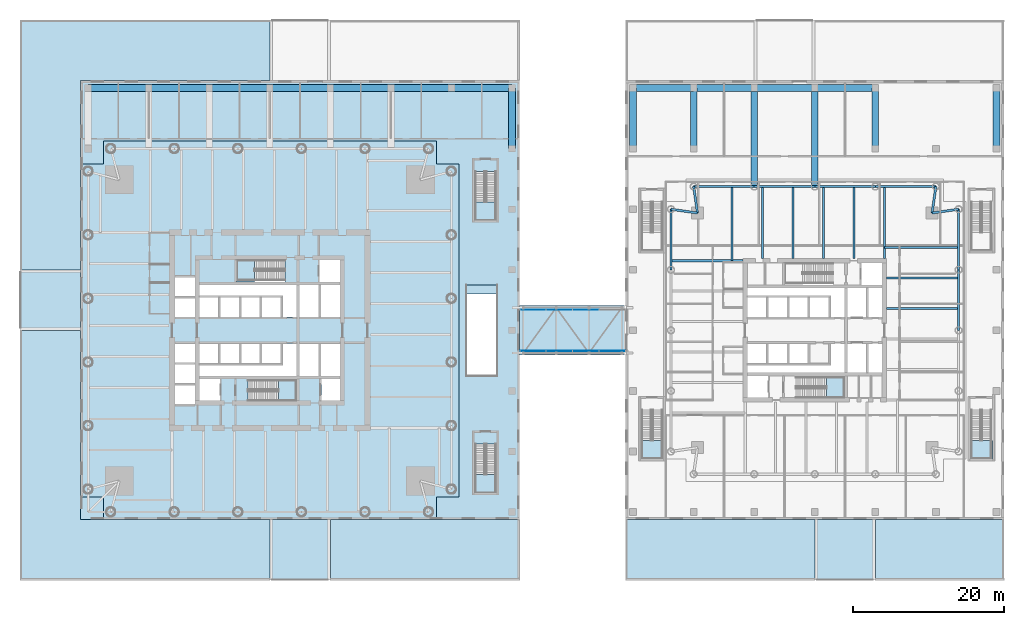
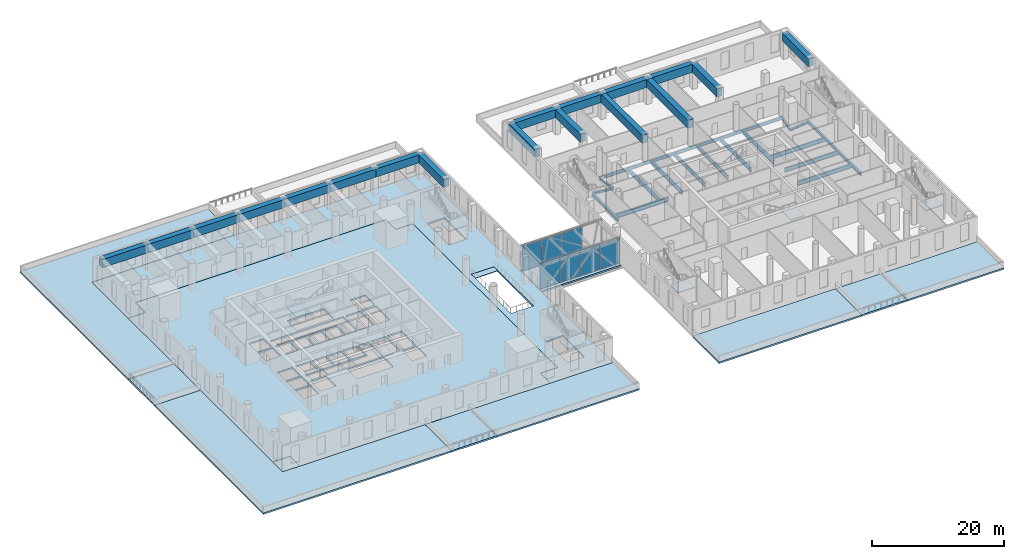
# One storey, part 7 of 23: 39 beams, 19 slabs, 8 plates, 9 elements without a shape of their own.
"""IFC4 building model written with IfcOpenShell, lengths in metres."""

from ifc_helpers import new_model, si_unit, direction, frame, origin, origin_2d, place, context, subcontext, project, spatial, polyline, rectangle, i_section, outline, extrude, material, layer, layer_set, material_profile, profile_set, type_object, element, aggregate, save


model = new_model("IFC4")

# Units and contexts
model_context = context("Model", 3, precision=1e-05, world=origin(), true_north=direction((0.0, 1.0)))
body_context = subcontext(model_context, "Body", "Model", "MODEL_VIEW")
ifc_project = project(units=[si_unit("LENGTHUNIT", "METRE"), si_unit("AREAUNIT", "SQUARE_METRE"), si_unit("VOLUMEUNIT", "CUBIC_METRE"), si_unit("PLANEANGLEUNIT", "RADIAN"), si_unit("MASSUNIT", "GRAM", prefix="KILO")], contexts=[model_context])

# Site, building, storey
site_placement = place(None, origin())
site = spatial("IfcSite", under=ifc_project, at=site_placement, CompositionType="ELEMENT")
building_placement = place(site_placement, origin())
building = spatial("IfcBuilding", under=site, at=building_placement, Name="Ostroluk Exchange", CompositionType="ELEMENT")
storey_placement = place(building_placement, frame((0.0, 0.0, 11.0)))
storey = spatial("IfcBuildingStorey", under=building, at=storey_placement, Name="L02", CompositionType="ELEMENT", Elevation=11.0)

# Beams
ifc_material_1 = material(Name="Steel S355", Category="steel")
ifc_material_profile_1 = material_profile(ifc_material_1, i_section(OverallWidth=0.300048828125, OverallDepth=0.39990234375, WebThickness=0.013427734375, FlangeThickness=0.02392578125, FilletRadius=0.027099609375, at=origin_2d()), Name="HEB 400")
ifc_profile_set_1 = profile_set([ifc_material_profile_1], Name="Steel S355")
beam_type_1 = type_object("IfcBeamType", Name="Corner edge beam HEB 400", PredefinedType="SPANDREL", material=ifc_profile_set_1)
for number, where, z_axis, x_axis, name in (
    (1, (132.5, 61.5, -0.5), (0.989949493661, 0.141421356237, 0.0), (-0.141421356237, 0.989949493661, 0.0), "T2 east corner edge beam a"),
    (2, (132.5, 61.5, -0.5), (0.141421356237, 0.989949493661, 0.0), (-0.989949493661, 0.141421356237, 0.0), "T2 east corner edge beam b"),
    (3, (101.5, 61.5, -0.5), (-0.141421356237, 0.989949493661, 0.0), (-0.989949493661, -0.141421356237, 0.0), "T2 north corner edge beam a"),
    (4, (101.5, 61.5, -0.5), (-0.989949493661, 0.141421356237, 0.0), (-0.141421356237, -0.989949493661, 0.0), "T2 north corner edge beam b"),
):
    element("IfcBeam", number, at=place(storey_placement, frame(where, z_axis=z_axis, x_axis=x_axis)), inside=storey, type_object=beam_type_1, Name=name, PredefinedType="SPANDREL", context=body_context, shape_type="SweptSolid", body=[
        extrude(i_section(OverallWidth=0.300048828125, OverallDepth=0.39990234375, WebThickness=0.013427734375, FlangeThickness=0.02392578125, FilletRadius=0.027099609375, at=origin_2d()), origin(), (0.0, 0.0, 1.0), 3.53564453125),
    ])
ifc_material_2 = material(Name="Steel S355", Category="steel")
ifc_material_profile_2 = material_profile(ifc_material_2, i_section(OverallWidth=0.264892578125, OverallDepth=0.7529296875, WebThickness=0.01318359375, FlangeThickness=0.01708984375, FilletRadius=0.01708984375, at=origin_2d()), Name="IPE 750x147")
ifc_profile_set_2 = profile_set([ifc_material_profile_2], Name="Steel S355")
beam_type_2 = type_object("IfcBeamType", Name="Floor beam IPE 750x147", PredefinedType="BEAM", material=ifc_profile_set_2)
for number, where, z_axis, x_axis, name in (
    (5, (126.5, 48.8857421875, -0.676513671875), (1.0, 0.0, 0.0), (0.0, 1.0, 0.0), "T2 east floor beam 3"),
    (6, (126.5, 52.914306640625, -0.676513671875), (1.0, 0.0, 0.0), (0.0, 1.0, 0.0), "T2 east floor beam 4"),
):
    element("IfcBeam", number, at=place(storey_placement, frame(where, z_axis=z_axis, x_axis=x_axis)), inside=storey, type_object=beam_type_2, Name=name, PredefinedType="BEAM", context=body_context, shape_type="SweptSolid", body=[
        extrude(i_section(OverallWidth=0.264892578125, OverallDepth=0.7529296875, WebThickness=0.01318359375, FlangeThickness=0.01708984375, FilletRadius=0.01708984375, at=origin_2d()), origin(), (0.0, 0.0, 1.0), 9.5),
    ])
beam_1_placement = place(storey_placement, frame((126.199951171875, 56.94287109375, -0.676513671875), z_axis=(1.0, 0.0, 0.0), x_axis=(0.0, 1.0, 0.0)))
element("IfcBeam", 7, at=beam_1_placement, inside=storey, type_object=beam_type_2, Name="T2 east floor beam 5", PredefinedType="BEAM", context=body_context, shape_type="SweptSolid", body=[
    extrude(i_section(OverallWidth=0.264892578125, OverallDepth=0.7529296875, WebThickness=0.01318359375, FlangeThickness=0.01708984375, FilletRadius=0.01708984375, at=origin_2d()), origin(), (0.0, 0.0, 1.0), 9.800048828125),
])
for number, where, z_axis, x_axis, name in (
    (8, (122.17138671875, 55.5, -0.676513671875), (0.0, 1.0, 0.0), (-1.0, 0.0, 0.0), "T2 north floor beam 1"),
    (9, (118.142822265625, 55.5, -0.676513671875), (0.0, 1.0, 0.0), (-1.0, 0.0, 0.0), "T2 north floor beam 2"),
    (10, (114.1142578125, 55.5, -0.676513671875), (0.0, 1.0, 0.0), (-1.0, 0.0, 0.0), "T2 north floor beam 3"),
    (11, (110.085693359375, 55.5, -0.676513671875), (0.0, 1.0, 0.0), (-1.0, 0.0, 0.0), "T2 north floor beam 4"),
):
    element("IfcBeam", number, at=place(storey_placement, frame(where, z_axis=z_axis, x_axis=x_axis)), inside=storey, type_object=beam_type_2, Name=name, PredefinedType="BEAM", context=body_context, shape_type="SweptSolid", body=[
        extrude(i_section(OverallWidth=0.264892578125, OverallDepth=0.7529296875, WebThickness=0.01318359375, FlangeThickness=0.01708984375, FilletRadius=0.01708984375, at=origin_2d()), origin(), (0.0, 0.0, 1.0), 9.5),
    ])
beam_2_placement = place(storey_placement, frame((106.05712890625, 55.199951171875, -0.676513671875), z_axis=(0.0, 1.0, 0.0), x_axis=(-1.0, 0.0, 0.0)))
element("IfcBeam", 12, at=beam_2_placement, inside=storey, type_object=beam_type_2, Name="T2 north floor beam 5", PredefinedType="BEAM", context=body_context, shape_type="SweptSolid", body=[
    extrude(i_section(OverallWidth=0.264892578125, OverallDepth=0.7529296875, WebThickness=0.01318359375, FlangeThickness=0.01708984375, FilletRadius=0.01708984375, at=origin_2d()), origin(), (0.0, 0.0, 1.0), 9.800048828125),
])
ifc_material_3 = material(Name="Steel S355", Category="steel")
ifc_material_profile_3 = material_profile(ifc_material_3, i_section(OverallWidth=0.300048828125, OverallDepth=0.800048828125, WebThickness=0.017578125, FlangeThickness=0.032958984375, FilletRadius=0.030029296875, at=origin_2d()), Name="HEB 800")
ifc_profile_set_3 = profile_set([ifc_material_profile_3], Name="Steel S355")
beam_type_3 = type_object("IfcBeamType", Name="Girder HEB 800", PredefinedType="BEAM", material=ifc_profile_set_3)
for number, where, z_axis, x_axis, name in (
    (13, (126.199951171875, 55.5, -0.699951171875), (0.0, 1.0, 0.0), (-1.0, 0.0, 0.0), "T2 east girder"),
    (14, (107.5, 55.199951171875, -0.699951171875), (-1.0, 0.0, 0.0), (0.0, -1.0, 0.0), "T2 north girder"),
):
    element("IfcBeam", number, at=place(storey_placement, frame(where, z_axis=z_axis, x_axis=x_axis)), inside=storey, type_object=beam_type_3, Name=name, PredefinedType="BEAM", context=body_context, shape_type="SweptSolid", body=[
        extrude(i_section(OverallWidth=0.300048828125, OverallDepth=0.800048828125, WebThickness=0.017578125, FlangeThickness=0.032958984375, FilletRadius=0.030029296875, at=origin_2d()), origin(), (0.0, 0.0, 1.0), 9.5),
    ])
ifc_material_4 = material(Name="Steel S355", Category="steel")
ifc_material_profile_4 = material_profile(ifc_material_4, i_section(OverallWidth=0.300048828125, OverallDepth=0.550048828125, WebThickness=0.014892578125, FlangeThickness=0.029052734375, FilletRadius=0.027099609375, at=origin_2d()), Name="HEB 550")
ifc_profile_set_4 = profile_set([ifc_material_profile_4], Name="Steel S355")
beam_type_4 = type_object("IfcBeamType", Name="Moment-connected edge beam HEB 550", PredefinedType="SPANDREL", material=ifc_profile_set_4)
for number, where, z_axis, x_axis, name in (
    (15, (136.0, 46.0, -0.574951171875), (0.0, 1.0, 0.0), (-1.0, 0.0, 0.0), "T2 east edge beam 3"),
    (16, (136.0, 54.0, -0.574951171875), (0.0, 1.0, 0.0), (-1.0, 0.0, 0.0), "T2 east edge beam 4"),
    (17, (133.0, 65.0, -0.574951171875), (-1.0, 0.0, 0.0), (0.0, -1.0, 0.0), "T2 north edge beam 1"),
    (18, (125.0, 65.0, -0.574951171875), (-1.0, 0.0, 0.0), (0.0, -1.0, 0.0), "T2 north edge beam 2"),
    (19, (117.0, 65.0, -0.574951171875), (-1.0, 0.0, 0.0), (0.0, -1.0, 0.0), "T2 north edge beam 3"),
    (20, (109.0, 65.0, -0.574951171875), (-1.0, 0.0, 0.0), (0.0, -1.0, 0.0), "T2 north edge beam 4"),
    (21, (98.0, 62.0, -0.574951171875), (0.0, -1.0, 0.0), (1.0, 0.0, 0.0), "T2 west edge beam 1"),
):
    element("IfcBeam", number, at=place(storey_placement, frame(where, z_axis=z_axis, x_axis=x_axis)), inside=storey, type_object=beam_type_4, Name=name, PredefinedType="SPANDREL", context=body_context, shape_type="SweptSolid", body=[
        extrude(i_section(OverallWidth=0.300048828125, OverallDepth=0.550048828125, WebThickness=0.014892578125, FlangeThickness=0.029052734375, FilletRadius=0.027099609375, at=origin_2d()), origin(), (0.0, 0.0, 1.0), 8.0),
    ])
ifc_material_5 = material(Name="Concrete C50/60", Category="concrete")
ifc_material_profile_5 = material_profile(ifc_material_5, rectangle(XDim=0.89990234375, YDim=1.5, at=origin_2d()), Name="RC 900x1500")
ifc_profile_set_5 = profile_set([ifc_material_profile_5], Name="Concrete C50/60")
beam_type_5 = type_object("IfcBeamType", Name="Podium edge beam RC 900x1500", PredefinedType="BEAM", material=ifc_profile_set_5)
for number, where, z_axis, x_axis, name in (
    (22, (77.0, 78.0, 3.949951171875), (0.0, -1.0, 0.0), (1.0, 0.0, 0.0), "Terrace beam L03 west N 77"),
    (23, (93.0, 78.0, 3.949951171875), (0.0, -1.0, 0.0), (1.0, 0.0, 0.0), "Terrace beam L03 east N 93"),
    (24, (101.0, 78.0, 3.949951171875), (0.0, -1.0, 0.0), (1.0, 0.0, 0.0), "Terrace beam L03 east N 101"),
):
    element("IfcBeam", number, at=place(storey_placement, frame(where, z_axis=z_axis, x_axis=x_axis)), inside=storey, type_object=beam_type_5, Name=name, PredefinedType="BEAM", context=body_context, shape_type="SweptSolid", body=[
        extrude(rectangle(XDim=0.89990234375, YDim=1.5, at=origin_2d()), origin(), (0.0, 0.0, 1.0), 8.0),
    ])
for number, where, z_axis, x_axis, name in (
    (25, (109.0, 78.0, 3.949951171875), (0.0, -1.0, 0.0), (1.0, 0.0, 0.0), "Terrace beam L03 east N 109"),
    (26, (117.0, 78.0, 3.949951171875), (0.0, -1.0, 0.0), (1.0, 0.0, 0.0), "Terrace beam L03 east N 117"),
):
    element("IfcBeam", number, at=place(storey_placement, frame(where, z_axis=z_axis, x_axis=x_axis)), inside=storey, type_object=beam_type_5, Name=name, PredefinedType="BEAM", context=body_context, shape_type="SweptSolid", body=[
        extrude(rectangle(XDim=0.89990234375, YDim=1.5, at=origin_2d()), origin(), (0.0, 0.0, 1.0), 13.0),
    ])
for number, where, z_axis, x_axis, name in (
    (27, (125.0, 78.0, 3.949951171875), (0.0, -1.0, 0.0), (1.0, 0.0, 0.0), "Terrace beam L03 east N 125"),
    (28, (141.0, 78.0, 3.949951171875), (0.0, -1.0, 0.0), (1.0, 0.0, 0.0), "Terrace beam L03 east N 141"),
    (29, (21.0, 78.0, 3.949951171875), (1.0, 0.0, 0.0), (0.0, 1.0, 0.0), "Terrace bay beam L03 Y78-21"),
    (30, (29.0, 78.0, 3.949951171875), (1.0, 0.0, 0.0), (0.0, 1.0, 0.0), "Terrace bay beam L03 Y78-29"),
    (31, (37.0, 78.0, 3.949951171875), (1.0, 0.0, 0.0), (0.0, 1.0, 0.0), "Terrace bay beam L03 Y78-37"),
    (32, (45.0, 78.0, 3.949951171875), (1.0, 0.0, 0.0), (0.0, 1.0, 0.0), "Terrace bay beam L03 Y78-45"),
    (33, (53.0, 78.0, 3.949951171875), (1.0, 0.0, 0.0), (0.0, 1.0, 0.0), "Terrace bay beam L03 Y78-53"),
    (34, (61.0, 78.0, 3.949951171875), (1.0, 0.0, 0.0), (0.0, 1.0, 0.0), "Terrace bay beam L03 Y78-61"),
    (35, (69.0, 78.0, 3.949951171875), (1.0, 0.0, 0.0), (0.0, 1.0, 0.0), "Terrace bay beam L03 Y78-69"),
    (36, (93.0, 78.0, 3.949951171875), (1.0, 0.0, 0.0), (0.0, 1.0, 0.0), "Terrace bay beam L03 Y78-93"),
    (37, (101.0, 78.0, 3.949951171875), (1.0, 0.0, 0.0), (0.0, 1.0, 0.0), "Terrace bay beam L03 Y78-101"),
    (38, (109.0, 78.0, 3.949951171875), (1.0, 0.0, 0.0), (0.0, 1.0, 0.0), "Terrace bay beam L03 Y78-109"),
    (39, (117.0, 78.0, 3.949951171875), (1.0, 0.0, 0.0), (0.0, 1.0, 0.0), "Terrace bay beam L03 Y78-117"),
):
    element("IfcBeam", number, at=place(storey_placement, frame(where, z_axis=z_axis, x_axis=x_axis)), inside=storey, type_object=beam_type_5, Name=name, PredefinedType="BEAM", context=body_context, shape_type="SweptSolid", body=[
        extrude(rectangle(XDim=0.89990234375, YDim=1.5, at=origin_2d()), origin(), (0.0, 0.0, 1.0), 8.0),
    ])

# Slab
ifc_material_6 = material(Name="Concrete C35/45", Category="concrete")
ifc_layer_1 = layer(ifc_material_6, 0.300048828125)
ifc_layer_set_1 = layer_set([ifc_layer_1], Name="Bridge deck slab 300")
slab_type_1 = type_object("IfcSlabType", Name="Bridge deck slab 300", PredefinedType="FLOOR", material=ifc_layer_set_1)
slab_1_placement = place(storey_placement, frame((0.0, 0.0, -0.300048828125)))
element("IfcSlab", 40, at=slab_1_placement, inside=storey, type_object=slab_type_1, Name="Podium bridge deck", PredefinedType="FLOOR", context=body_context, shape_type="SweptSolid", body=[
    extrude(outline(polyline([(78.0, 42.75), (91.89990234375, 42.75), (91.89990234375, 49.25), (78.0, 49.25), (78.0, 42.75)])), origin(), (0.0, 0.0, 1.0), 0.300048828125),
])

# Plate
ifc_material_7 = material(Name="Steel chequer plate", Category="steel")
ifc_layer_2 = layer(ifc_material_7, 0.10009765625)
ifc_layer_set_2 = layer_set([ifc_layer_2], Name="Escalator landing plate")
plate_type_1 = type_object("IfcPlateType", Name="Escalator landing plate", PredefinedType="USERDEFINED", material=ifc_layer_set_2)
plate_1_placement = place(storey_placement, frame((73.0, 51.39990234375, -0.10009765625), z_axis=(0.0, 0.0, 1.0), x_axis=(1.0, 0.0, 0.0)))
element("IfcPlate", 41, at=plate_1_placement, inside=storey, type_object=plate_type_1, Name="Escalator ES3 landing plate", ObjectType="ESCALATOR LANDING PLATE", PredefinedType="USERDEFINED", context=body_context, shape_type="SweptSolid", body=[
    extrude(rectangle(XDim=4.0, YDim=1.199951171875, at=origin_2d()), origin(), (0.0, 0.0, 1.0), 0.10009765625),
])

# Slabs
ifc_material_8 = material(Name="Concrete C35/45", Category="concrete")
ifc_layer_3 = layer(ifc_material_8, 0.300048828125)
ifc_layer_set_3 = layer_set([ifc_layer_3], Name="Extensive green roof slab 300")
slab_type_2 = type_object("IfcSlabType", Name="Extensive green roof slab 300", PredefinedType="ROOF", material=ifc_layer_set_3)
slab_2_placement = place(storey_placement, frame((0.0, 0.0, -0.300048828125)))
element("IfcSlab", 42, at=slab_2_placement, inside=storey, type_object=slab_type_2, Name="Green roof slab L02 west", PredefinedType="ROOF", context=body_context, shape_type="SweptSolid", body=[
    extrude(outline(polyline([(45.0, 87.0), (45.0, 79.0), (20.0, 79.0), (20.0, 54.0), (12.0, 54.0), (12.0, 87.0), (45.0, 87.0)])), origin(), (0.0, 0.0, 1.0), 0.300048828125),
])
slab_3_placement = place(storey_placement, frame((0.0, 0.0, -0.300048828125)))
element("IfcSlab", 43, at=slab_3_placement, inside=storey, type_object=slab_type_2, Name="Green roof slab L02 west", PredefinedType="ROOF", context=body_context, shape_type="SweptSolid", body=[
    extrude(outline(polyline([(20.0, 46.0), (20.0, 21.0), (45.0, 21.0), (45.0, 13.0), (12.0, 13.0), (12.0, 46.0), (20.0, 46.0)])), origin(), (0.0, 0.0, 1.0), 0.300048828125),
])
slab_4_placement = place(storey_placement, frame((0.0, 0.0, -0.300048828125)))
element("IfcSlab", 44, at=slab_4_placement, inside=storey, type_object=slab_type_2, Name="Green roof slab L02 west", PredefinedType="ROOF", context=body_context, shape_type="SweptSolid", body=[
    extrude(outline(polyline([(53.0, 21.0), (78.0, 21.0), (78.0, 13.0), (53.0, 13.0), (53.0, 21.0)])), origin(), (0.0, 0.0, 1.0), 0.300048828125),
])
slab_5_placement = place(storey_placement, frame((0.0, 0.0, -0.300048828125)))
element("IfcSlab", 45, at=slab_5_placement, inside=storey, type_object=slab_type_2, Name="Green roof slab L02 east", PredefinedType="ROOF", context=body_context, shape_type="SweptSolid", body=[
    extrude(outline(polyline([(117.0, 21.0), (117.0, 13.0), (92.0, 13.0), (92.0, 21.0), (117.0, 21.0)])), origin(), (0.0, 0.0, 1.0), 0.300048828125),
])
slab_6_placement = place(storey_placement, frame((0.0, 0.0, -0.300048828125)))
element("IfcSlab", 46, at=slab_6_placement, inside=storey, type_object=slab_type_2, Name="Green roof slab L02 east", PredefinedType="ROOF", context=body_context, shape_type="SweptSolid", body=[
    extrude(outline(polyline([(142.0, 21.0), (142.0, 13.0), (125.0, 13.0), (125.0, 21.0), (142.0, 21.0)])), origin(), (0.0, 0.0, 1.0), 0.300048828125),
])

# Curtain wall, plates
ifc_material_9 = material(Name="Laminated clear glass", Category="glass")
curtain_wall_type = type_object("IfcCurtainWallType", Name="Bridge glazing", PredefinedType="USERDEFINED", material=ifc_material_9)
curtain_wall_1_placement = place(storey_placement, origin())
curtain_wall_1 = element("IfcCurtainWall", 47, at=curtain_wall_1_placement, inside=storey, type_object=curtain_wall_type, Name="Podium bridge south glazing", ObjectType="STICK CURTAIN WALL", PredefinedType="USERDEFINED")
ifc_material_10 = material(Name="Laminated clear glass", Category="glass")
ifc_layer_4 = layer(ifc_material_10, 0.028076171875)
ifc_layer_set_4 = layer_set([ifc_layer_4], Name="Laminated clear glass 28")
plate_type_2 = type_object("IfcPlateType", Name="Laminated clear glass 28", PredefinedType="CURTAIN_PANEL", material=ifc_layer_set_4)
plate_2_placement = place(storey_placement, frame((79.764892578125, 43.264892578125, 0.06005859375), z_axis=(0.0, 0.0, 1.0), x_axis=(1.0, 0.0, 0.0)))
plate_2 = element("IfcPlate", 48, at=plate_2_placement, type_object=plate_type_2, Name="CW-BR1 panel 1.1", PredefinedType="CURTAIN_PANEL", context=body_context, shape_type="SweptSolid", body=[
    extrude(rectangle(XDim=3.409912109375, YDim=0.028076171875, at=origin_2d()), origin(), (0.0, 0.0, 1.0), 4.679931640625),
])
plate_3_placement = place(storey_placement, frame((83.25, 43.264892578125, 0.06005859375), z_axis=(0.0, 0.0, 1.0), x_axis=(1.0, 0.0, 0.0)))
plate_3 = element("IfcPlate", 49, at=plate_3_placement, type_object=plate_type_2, Name="CW-BR1 panel 2.1", PredefinedType="CURTAIN_PANEL", context=body_context, shape_type="SweptSolid", body=[
    extrude(rectangle(XDim=3.43994140625, YDim=0.028076171875, at=origin_2d()), origin(), (0.0, 0.0, 1.0), 4.679931640625),
])
plate_4_placement = place(storey_placement, frame((86.75, 43.264892578125, 0.06005859375), z_axis=(0.0, 0.0, 1.0), x_axis=(1.0, 0.0, 0.0)))
plate_4 = element("IfcPlate", 50, at=plate_4_placement, type_object=plate_type_2, Name="CW-BR1 panel 3.1", PredefinedType="CURTAIN_PANEL", context=body_context, shape_type="SweptSolid", body=[
    extrude(rectangle(XDim=3.43994140625, YDim=0.028076171875, at=origin_2d()), origin(), (0.0, 0.0, 1.0), 4.679931640625),
])
plate_5_placement = place(storey_placement, frame((90.235107421875, 43.264892578125, 0.06005859375), z_axis=(0.0, 0.0, 1.0), x_axis=(1.0, 0.0, 0.0)))
plate_5 = element("IfcPlate", 51, at=plate_5_placement, type_object=plate_type_2, Name="CW-BR1 panel 4.1", PredefinedType="CURTAIN_PANEL", context=body_context, shape_type="SweptSolid", body=[
    extrude(rectangle(XDim=3.409912109375, YDim=0.028076171875, at=origin_2d()), origin(), (0.0, 0.0, 1.0), 4.679931640625),
])
aggregate(curtain_wall_1, [plate_2, plate_3, plate_4, plate_5])

curtain_wall_2_placement = place(storey_placement, origin())
curtain_wall_2 = element("IfcCurtainWall", 52, at=curtain_wall_2_placement, inside=storey, type_object=curtain_wall_type, Name="Podium bridge north glazing", ObjectType="STICK CURTAIN WALL", PredefinedType="USERDEFINED")
plate_6_placement = place(storey_placement, frame((86.75, 48.735107421875, 0.06005859375), z_axis=(0.0, 0.0, 1.0), x_axis=(-1.0, 0.0, 0.0)))
plate_6 = element("IfcPlate", 53, at=plate_6_placement, type_object=plate_type_2, Name="CW-BR1 panel 2.1", PredefinedType="CURTAIN_PANEL", context=body_context, shape_type="SweptSolid", body=[
    extrude(rectangle(XDim=3.43994140625, YDim=0.028076171875, at=origin_2d()), origin(), (0.0, 0.0, 1.0), 4.679931640625),
])
plate_7_placement = place(storey_placement, frame((83.25, 48.735107421875, 0.06005859375), z_axis=(0.0, 0.0, 1.0), x_axis=(-1.0, 0.0, 0.0)))
plate_7 = element("IfcPlate", 54, at=plate_7_placement, type_object=plate_type_2, Name="CW-BR1 panel 3.1", PredefinedType="CURTAIN_PANEL", context=body_context, shape_type="SweptSolid", body=[
    extrude(rectangle(XDim=3.43994140625, YDim=0.028076171875, at=origin_2d()), origin(), (0.0, 0.0, 1.0), 4.679931640625),
])
plate_8_placement = place(storey_placement, frame((79.764892578125, 48.735107421875, 0.06005859375), z_axis=(0.0, 0.0, 1.0), x_axis=(-1.0, 0.0, 0.0)))
plate_8 = element("IfcPlate", 55, at=plate_8_placement, type_object=plate_type_2, Name="CW-BR1 panel 4.1", PredefinedType="CURTAIN_PANEL", context=body_context, shape_type="SweptSolid", body=[
    extrude(rectangle(XDim=3.409912109375, YDim=0.028076171875, at=origin_2d()), origin(), (0.0, 0.0, 1.0), 4.679931640625),
])
aggregate(curtain_wall_2, [plate_6, plate_7, plate_8])

# Slabs
ifc_material_11 = material(Name="Concrete C35/45", Category="concrete")
ifc_layer_5 = layer(ifc_material_11, 0.300048828125)
ifc_layer_set_5 = layer_set([ifc_layer_5], Name="Podium flat slab 300")
slab_type_3 = type_object("IfcSlabType", Name="Podium flat slab 300", PredefinedType="FLOOR", material=ifc_layer_set_5)
slab_7_placement = place(storey_placement, frame((0.0, 0.0, -0.300048828125)))
element("IfcSlab", 56, at=slab_7_placement, inside=storey, type_object=slab_type_3, Name="Podium slab L02 west", PredefinedType="FLOOR", context=body_context, shape_type="SweptSolid", body=[
    extrude(outline(polyline([(78.0, 21.0), (67.0, 21.0), (67.0, 24.0), (70.0, 24.0), (70.0, 68.0), (67.0, 68.0), (67.0, 71.0), (23.0, 71.0), (23.0, 68.0), (20.0, 68.0), (20.0, 79.0), (78.0, 79.0), (78.0, 21.0)]), holes=[polyline([(75.0, 24.5), (75.0, 30.989990234375), (72.0, 30.989990234375), (72.0, 24.5), (75.0, 24.5)]), polyline([(72.0, 60.5), (75.0, 60.5), (75.0, 66.989990234375), (72.0, 66.989990234375), (72.0, 60.5)]), polyline([(71.0, 52.0), (71.0, 40.0), (75.0, 40.0), (75.0, 52.0), (71.0, 52.0)])]), origin(), (0.0, 0.0, 1.0), 0.300048828125),
])
slab_8_placement = place(storey_placement, frame((0.0, 0.0, -0.300048828125)))
element("IfcSlab", 57, at=slab_8_placement, inside=storey, type_object=slab_type_3, Name="Podium slab L02 west", PredefinedType="FLOOR", context=body_context, shape_type="SweptSolid", body=[
    extrude(outline(polyline([(23.0, 24.0), (23.0, 21.0), (20.0, 21.0), (20.0, 24.0), (23.0, 24.0)])), origin(), (0.0, 0.0, 1.0), 0.300048828125),
])
ifc_material_12 = material(Name="Concrete C35/45", Category="concrete")
ifc_layer_6 = layer(ifc_material_12, 0.300048828125)
ifc_layer_set_6 = layer_set([ifc_layer_6], Name="Podium terrace slab 300")
slab_type_4 = type_object("IfcSlabType", Name="Podium terrace slab 300", PredefinedType="ROOF", material=ifc_layer_set_6)
slab_9_placement = place(storey_placement, frame((0.0, 0.0, -0.300048828125)))
element("IfcSlab", 58, at=slab_9_placement, inside=storey, type_object=slab_type_4, Name="Terrace slab L02 west", PredefinedType="ROOF", context=body_context, shape_type="SweptSolid", body=[
    extrude(outline(polyline([(20.0, 46.0), (12.0, 46.0), (12.0, 54.0), (20.0, 54.0), (20.0, 46.0)])), origin(), (0.0, 0.0, 1.0), 0.300048828125),
])
slab_10_placement = place(storey_placement, frame((0.0, 0.0, -0.300048828125)))
element("IfcSlab", 59, at=slab_10_placement, inside=storey, type_object=slab_type_4, Name="Terrace slab L02 west", PredefinedType="ROOF", context=body_context, shape_type="SweptSolid", body=[
    extrude(outline(polyline([(53.0, 21.0), (53.0, 13.0), (45.0, 13.0), (45.0, 21.0), (53.0, 21.0)])), origin(), (0.0, 0.0, 1.0), 0.300048828125),
])
slab_11_placement = place(storey_placement, frame((0.0, 0.0, -0.300048828125)))
element("IfcSlab", 60, at=slab_11_placement, inside=storey, type_object=slab_type_4, Name="Terrace slab L02 east", PredefinedType="ROOF", context=body_context, shape_type="SweptSolid", body=[
    extrude(outline(polyline([(125.0, 21.0), (125.0, 13.0), (117.0, 13.0), (117.0, 21.0), (125.0, 21.0)])), origin(), (0.0, 0.0, 1.0), 0.300048828125),
])

# Stair, slab
ifc_material_13 = material(Name="Concrete C30/37", Category="concrete")
stair_type = type_object("IfcStairType", Name="Exit stair half turn 5000", PredefinedType="HALF_TURN_STAIR", material=ifc_material_13)
stair_1_placement = place(storey_placement, origin())
stair_1 = element("IfcStair", 61, at=stair_1_placement, inside=storey, type_object=stair_type, Name="Stair T1-S1 L02", PredefinedType="HALF_TURN_STAIR")
ifc_material_14 = material(Name="Concrete C30/37", Category="concrete")
ifc_layer_7 = layer(ifc_material_14, 0.199951171875)
ifc_layer_set_7 = layer_set([ifc_layer_7], Name="Stair landing 200")
slab_type_5 = type_object("IfcSlabType", Name="Stair landing 200", PredefinedType="LANDING", material=ifc_layer_set_7)
slab_12_placement = place(storey_placement, frame((0.0, 0.0, 2.300048828125)))
slab_12 = element("IfcSlab", 62, at=slab_12_placement, type_object=slab_type_5, Name="T1-S1 landing 1", PredefinedType="LANDING", context=body_context, shape_type="SweptSolid", body=[
    extrude(outline(polyline([(46.159912109375, 36.699951171875), (46.159912109375, 39.60009765625), (48.530029296875, 39.60009765625), (48.530029296875, 36.699951171875), (46.159912109375, 36.699951171875)])), origin(), (0.0, 0.0, 1.0), 0.199951171875),
])
aggregate(stair_1, [slab_12])

stair_2_placement = place(storey_placement, origin())
stair_2 = element("IfcStair", 63, at=stair_2_placement, inside=storey, type_object=stair_type, Name="Stair T1-S2 L02", PredefinedType="HALF_TURN_STAIR")
slab_13_placement = place(storey_placement, frame((0.0, 0.0, 2.300048828125)))
slab_13 = element("IfcSlab", 64, at=slab_13_placement, type_object=slab_type_5, Name="T1-S2 landing 1", PredefinedType="LANDING", context=body_context, shape_type="SweptSolid", body=[
    extrude(outline(polyline([(42.969970703125, 52.39990234375), (42.969970703125, 55.300048828125), (40.60009765625, 55.300048828125), (40.60009765625, 52.39990234375), (42.969970703125, 52.39990234375)])), origin(), (0.0, 0.0, 1.0), 0.199951171875),
])
aggregate(stair_2, [slab_13])

stair_3_placement = place(storey_placement, origin())
stair_3 = element("IfcStair", 65, at=stair_3_placement, inside=storey, type_object=stair_type, Name="Stair T2-S1 L02", PredefinedType="HALF_TURN_STAIR")
slab_14_placement = place(storey_placement, frame((0.0, 0.0, 2.300048828125)))
slab_14 = element("IfcSlab", 66, at=slab_14_placement, type_object=slab_type_5, Name="T2-S1 landing 1", PredefinedType="LANDING", context=body_context, shape_type="SweptSolid", body=[
    extrude(outline(polyline([(118.56005859375, 37.10009765625), (118.56005859375, 40.0), (120.929931640625, 40.0), (120.929931640625, 37.10009765625), (118.56005859375, 37.10009765625)])), origin(), (0.0, 0.0, 1.0), 0.199951171875),
])
aggregate(stair_3, [slab_14])

stair_4_placement = place(storey_placement, origin())
stair_4 = element("IfcStair", 67, at=stair_4_placement, inside=storey, type_object=stair_type, Name="Stair PS3 L02", PredefinedType="HALF_TURN_STAIR")
slab_15_placement = place(storey_placement, frame((0.0, 0.0, 2.300048828125)))
slab_15 = element("IfcSlab", 68, at=slab_15_placement, type_object=slab_type_5, Name="PS3 landing 1", PredefinedType="LANDING", context=body_context, shape_type="SweptSolid", body=[
    extrude(outline(polyline([(72.0, 26.93994140625), (75.0, 26.93994140625), (75.0, 24.5), (72.0, 24.5), (72.0, 26.93994140625)])), origin(), (0.0, 0.0, 1.0), 0.199951171875),
])
aggregate(stair_4, [slab_15])

stair_5_placement = place(storey_placement, origin())
stair_5 = element("IfcStair", 69, at=stair_5_placement, inside=storey, type_object=stair_type, Name="Stair PS4 L02", PredefinedType="HALF_TURN_STAIR")
slab_16_placement = place(storey_placement, frame((0.0, 0.0, 2.300048828125)))
slab_16 = element("IfcSlab", 70, at=slab_16_placement, type_object=slab_type_5, Name="PS4 landing 1", PredefinedType="LANDING", context=body_context, shape_type="SweptSolid", body=[
    extrude(outline(polyline([(72.0, 62.93994140625), (75.0, 62.93994140625), (75.0, 60.5), (72.0, 60.5), (72.0, 62.93994140625)])), origin(), (0.0, 0.0, 1.0), 0.199951171875),
])
aggregate(stair_5, [slab_16])

stair_6_placement = place(storey_placement, origin())
stair_6 = element("IfcStair", 71, at=stair_6_placement, inside=storey, type_object=stair_type, Name="Stair PS5 L02", PredefinedType="HALF_TURN_STAIR")
slab_17_placement = place(storey_placement, frame((0.0, 0.0, 2.300048828125)))
slab_17 = element("IfcSlab", 72, at=slab_17_placement, type_object=slab_type_5, Name="PS5 landing 1", PredefinedType="LANDING", context=body_context, shape_type="SweptSolid", body=[
    extrude(outline(polyline([(94.0, 31.43994140625), (97.0, 31.43994140625), (97.0, 29.0), (94.0, 29.0), (94.0, 31.43994140625)])), origin(), (0.0, 0.0, 1.0), 0.199951171875),
])
aggregate(stair_6, [slab_17])

stair_7_placement = place(storey_placement, origin())
stair_7 = element("IfcStair", 73, at=stair_7_placement, inside=storey, type_object=stair_type, Name="Stair PS7 L02", PredefinedType="HALF_TURN_STAIR")
slab_18_placement = place(storey_placement, frame((0.0, 0.0, 2.300048828125)))
slab_18 = element("IfcSlab", 74, at=slab_18_placement, type_object=slab_type_5, Name="PS7 landing 1", PredefinedType="LANDING", context=body_context, shape_type="SweptSolid", body=[
    extrude(outline(polyline([(137.5, 31.43994140625), (140.5, 31.43994140625), (140.5, 29.0), (137.5, 29.0), (137.5, 31.43994140625)])), origin(), (0.0, 0.0, 1.0), 0.199951171875),
])
aggregate(stair_7, [slab_18])

# Slab
ifc_material_15 = material(Name="Concrete C35/45", Category="concrete")
ifc_layer_8 = layer(ifc_material_15, 0.300048828125)
ifc_layer_set_8 = layer_set([ifc_layer_8], Name="Tower floor slab 300")
slab_type_6 = type_object("IfcSlabType", Name="Tower floor slab 300", PredefinedType="FLOOR", material=ifc_layer_set_8)
slab_19_placement = place(storey_placement, frame((0.0, 0.0, -0.300048828125)))
element("IfcSlab", 75, at=slab_19_placement, inside=storey, type_object=slab_type_6, Name="Office tower floor slab L02", PredefinedType="FLOOR", context=body_context, shape_type="SweptSolid", body=[
    extrude(outline(polyline([(23.0, 21.0), (67.0, 21.0), (67.0, 24.0), (70.0, 24.0), (70.0, 68.0), (67.0, 68.0), (67.0, 71.0), (23.0, 71.0), (23.0, 68.0), (20.0, 68.0), (20.0, 24.0), (23.0, 24.0), (23.0, 21.0)]), holes=[polyline([(35.699951171875, 36.699951171875), (38.39990234375, 36.699951171875), (38.39990234375, 39.60009765625), (35.699951171875, 39.60009765625), (35.699951171875, 36.699951171875)]), polyline([(42.110107421875, 36.699951171875), (48.530029296875, 36.699951171875), (48.530029296875, 39.60009765625), (42.110107421875, 39.60009765625), (42.110107421875, 36.699951171875)]), polyline([(51.800048828125, 36.699951171875), (54.300048828125, 36.699951171875), (54.300048828125, 39.60009765625), (51.800048828125, 39.60009765625), (51.800048828125, 36.699951171875)]), polyline([(40.60009765625, 52.39990234375), (47.02001953125, 52.39990234375), (47.02001953125, 55.300048828125), (40.60009765625, 55.300048828125), (40.60009765625, 52.39990234375)]), polyline([(51.60009765625, 52.39990234375), (54.300048828125, 52.39990234375), (54.300048828125, 55.300048828125), (51.60009765625, 55.300048828125), (51.60009765625, 52.39990234375)]), polyline([(35.699951171875, 47.75), (38.199951171875, 47.75), (38.199951171875, 50.35009765625), (35.699951171875, 50.35009765625), (35.699951171875, 47.75)]), polyline([(38.449951171875, 47.75), (40.949951171875, 47.75), (40.949951171875, 50.35009765625), (38.449951171875, 50.35009765625), (38.449951171875, 47.75)]), polyline([(41.199951171875, 47.75), (43.699951171875, 47.75), (43.699951171875, 50.35009765625), (41.199951171875, 50.35009765625), (41.199951171875, 47.75)]), polyline([(43.949951171875, 47.75), (46.449951171875, 47.75), (46.449951171875, 50.35009765625), (43.949951171875, 50.35009765625), (43.949951171875, 47.75)]), polyline([(35.699951171875, 41.64990234375), (38.199951171875, 41.64990234375), (38.199951171875, 44.25), (35.699951171875, 44.25), (35.699951171875, 41.64990234375)]), polyline([(38.449951171875, 41.64990234375), (40.949951171875, 41.64990234375), (40.949951171875, 44.25), (38.449951171875, 44.25), (38.449951171875, 41.64990234375)]), polyline([(41.199951171875, 41.64990234375), (43.699951171875, 41.64990234375), (43.699951171875, 44.25), (41.199951171875, 44.25), (41.199951171875, 41.64990234375)]), polyline([(43.949951171875, 41.64990234375), (46.449951171875, 41.64990234375), (46.449951171875, 44.25), (43.949951171875, 44.25), (43.949951171875, 41.64990234375)]), polyline([(48.929931640625, 47.75), (51.489990234375, 47.75), (51.489990234375, 52.0), (48.929931640625, 52.0), (48.929931640625, 47.75)]), polyline([(51.739990234375, 47.75), (54.300048828125, 47.75), (54.300048828125, 52.0), (51.739990234375, 52.0), (51.739990234375, 47.75)]), polyline([(48.929931640625, 40.0), (51.489990234375, 40.0), (51.489990234375, 44.25), (48.929931640625, 44.25), (48.929931640625, 40.0)]), polyline([(51.739990234375, 40.0), (54.300048828125, 40.0), (54.300048828125, 44.25), (51.739990234375, 44.25), (51.739990234375, 40.0)]), polyline([(48.530029296875, 52.0), (48.530029296875, 47.75), (46.699951171875, 47.75), (46.699951171875, 50.60009765625), (35.699951171875, 50.60009765625), (35.699951171875, 52.0), (48.530029296875, 52.0)]), polyline([(35.699951171875, 40.0), (35.699951171875, 41.39990234375), (46.699951171875, 41.39990234375), (46.699951171875, 44.25), (48.530029296875, 44.25), (48.530029296875, 40.0), (35.699951171875, 40.0)]), polyline([(32.5, 36.25), (35.10009765625, 36.25), (35.10009765625, 38.75), (32.5, 38.75), (32.5, 36.25)]), polyline([(32.5, 39.0), (35.10009765625, 39.0), (35.10009765625, 41.5), (32.5, 41.5), (32.5, 39.0)]), polyline([(32.5, 41.75), (35.10009765625, 41.75), (35.10009765625, 44.25), (32.5, 44.25), (32.5, 41.75)]), polyline([(32.5, 47.75), (35.10009765625, 47.75), (35.10009765625, 50.25), (32.5, 50.25), (32.5, 47.75)]), polyline([(32.5, 50.5), (35.10009765625, 50.5), (35.10009765625, 53.0), (32.5, 53.0), (32.5, 50.5)])]), origin(), (0.0, 0.0, 1.0), 0.300048828125),
])

save(model, "model.ifc")
